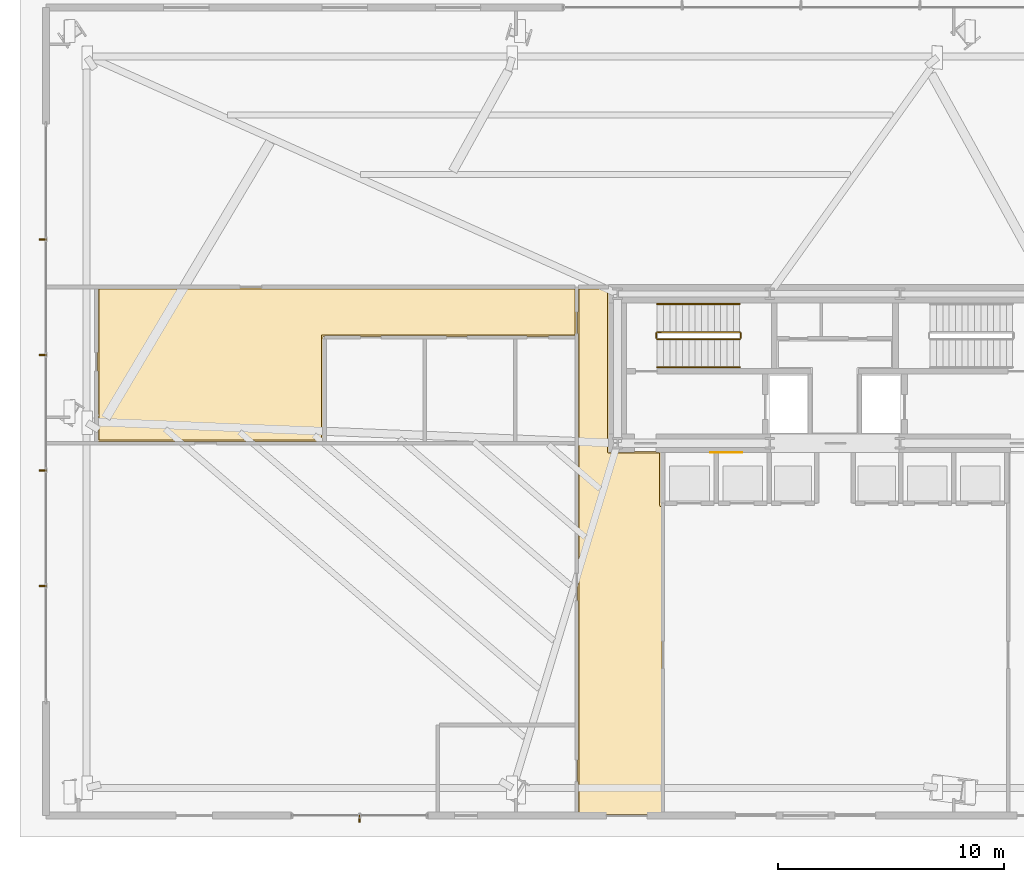
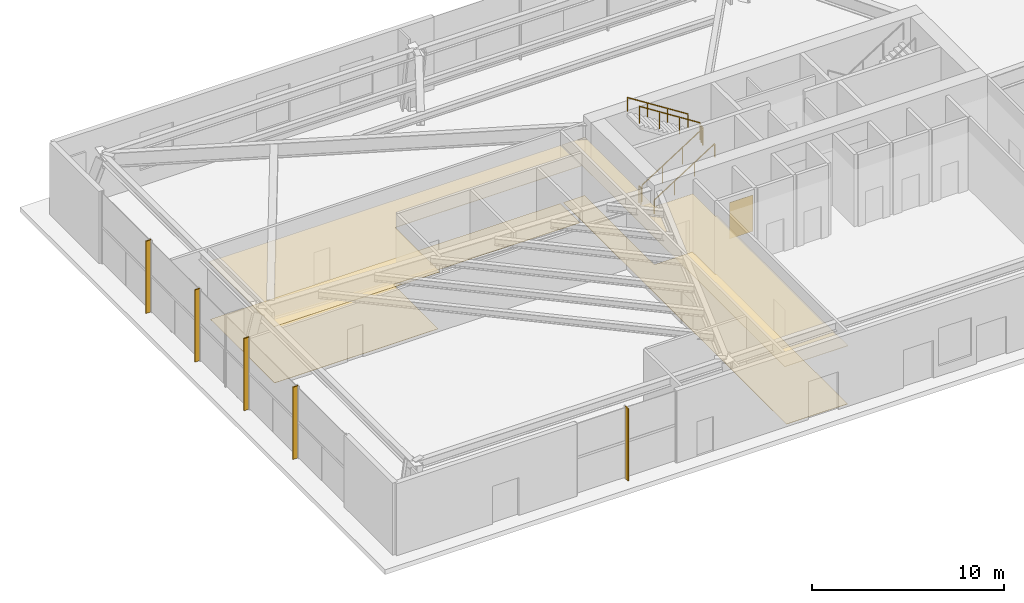
# One storey, part 27 of 31: 6 railings, 5 coverings, 5 shading devices.
"""IFC4 building model written with IfcOpenShell, lengths in metres."""

from ifc_helpers import new_model, si_unit, direction, frame, origin, origin_2d, place, context, subcontext, project, spatial, polyline, rectangle, outline, extrude, source, transform, mapped, material, layer, layer_set, type_object, type_shapes, element, save


model = new_model("IFC4")

# Units and contexts
model_context = context("Model", 3, precision=1e-05, world=origin(), true_north=direction((0.0, 1.0)))
body_context = subcontext(model_context, "Body", "Model", "MODEL_VIEW")
ifc_project = project(units=[si_unit("LENGTHUNIT", "METRE"), si_unit("AREAUNIT", "SQUARE_METRE"), si_unit("VOLUMEUNIT", "CUBIC_METRE"), si_unit("PLANEANGLEUNIT", "RADIAN"), si_unit("MASSUNIT", "GRAM", prefix="KILO")], contexts=[model_context])

# Site, building, storey
site_placement = place(None, origin())
site = spatial("IfcSite", under=ifc_project, at=site_placement, CompositionType="ELEMENT")
building_placement = place(site_placement, origin())
building = spatial("IfcBuilding", under=site, at=building_placement, Name="Astriad Promenade Condominiums", CompositionType="ELEMENT")
storey_placement = place(building_placement, origin())
storey = spatial("IfcBuildingStorey", under=building, at=storey_placement, Name="L00", CompositionType="ELEMENT", Elevation=0.0)

# Coverings
ifc_material_1 = material(Name="Mineral-Fibre Acoustic Ceiling Tile")
ifc_layer_1 = layer(ifc_material_1, 0.02490234375)
ifc_layer_set_1 = layer_set([ifc_layer_1], Name="Mineral-Fibre Acoustic Ceiling Tile")
covering_type_1 = type_object("IfcCoveringType", Name="COV-CEIL-ACOUSTIC-25", PredefinedType="CEILING", material=ifc_layer_set_1)
covering_1_placement = place(storey_placement, frame((0.0, 0.0, 3.635009765625)))
element("IfcCovering", 1, at=covering_1_placement, inside=storey, type_object=covering_type_1, Name="CEIL-L00-EXPW", PredefinedType="CEILING", context=body_context, shape_type="SweptSolid", body=[
    extrude(outline(polyline([(28.429931640625, 1.050048828125), (24.6201171875, 1.050048828125), (24.6201171875, 24.25), (24.6201171875, 24.2529296875), (24.62060546875, 24.255859375), (24.621337890625, 24.2587890625), (24.622314453125, 24.261474609375), (24.62353515625, 24.26416015625), (24.625, 24.2666015625), (24.626708984375, 24.26904296875), (24.62890625, 24.271240234375), (24.631103515625, 24.273193359375), (24.63330078125, 24.27490234375), (24.635986328125, 24.276611328125), (24.638427734375, 24.277587890625), (24.641357421875, 24.27880859375), (24.64404296875, 24.279296875), (24.647216796875, 24.27978515625), (24.64990234375, 24.280029296875), (26.0, 24.280029296875), (26.0029296875, 24.27978515625), (26.005859375, 24.279296875), (26.0087890625, 24.27880859375), (26.011474609375, 24.277587890625), (26.01416015625, 24.276611328125), (26.0166015625, 24.27490234375), (26.01904296875, 24.273193359375), (26.021240234375, 24.271240234375), (26.023193359375, 24.26904296875), (26.02490234375, 24.2666015625), (26.026611328125, 24.26416015625), (26.027587890625, 24.261474609375), (26.02880859375, 24.2587890625), (26.029296875, 24.255859375), (26.02978515625, 24.2529296875), (26.030029296875, 24.25), (26.030029296875, 17.030029296875), (28.300048828125, 17.030029296875), (28.302978515625, 17.02978515625), (28.305908203125, 17.029296875), (28.30859375, 17.02880859375), (28.3115234375, 17.027587890625), (28.314208984375, 17.026611328125), (28.316650390625, 17.02490234375), (28.319091796875, 17.023193359375), (28.3212890625, 17.021240234375), (28.3232421875, 17.01904296875), (28.324951171875, 17.0166015625), (28.326416015625, 17.01416015625), (28.32763671875, 17.011474609375), (28.32861328125, 17.0087890625), (28.329345703125, 17.005859375), (28.329833984375, 17.0029296875), (28.330078125, 17.0), (28.330078125, 14.679931640625), (28.39990234375, 14.679931640625), (28.40283203125, 14.679931640625), (28.406005859375, 14.679443359375), (28.40869140625, 14.6787109375), (28.41162109375, 14.677734375), (28.4140625, 14.676513671875), (28.416748046875, 14.6748046875), (28.4189453125, 14.673095703125), (28.421142578125, 14.671142578125), (28.423095703125, 14.6689453125), (28.4248046875, 14.666748046875), (28.426513671875, 14.6640625), (28.427734375, 14.66162109375), (28.4287109375, 14.65869140625), (28.429443359375, 14.656005859375), (28.429931640625, 14.65283203125), (28.429931640625, 14.64990234375), (28.429931640625, 1.050048828125)])), origin(), (0.0, 0.0, 1.0), 0.02490234375),
])
covering_2_placement = place(storey_placement, frame((0.0, 0.0, 3.635009765625)))
element("IfcCovering", 2, at=covering_2_placement, inside=storey, type_object=covering_type_1, Name="CEIL-L00-CORN", PredefinedType="CEILING", context=body_context, shape_type="SweptSolid", body=[
    extrude(outline(polyline([(3.420166015625, 24.2529296875), (3.420654296875, 24.255859375), (3.42138671875, 24.2587890625), (3.42236328125, 24.261474609375), (3.423583984375, 24.26416015625), (3.425048828125, 24.2666015625), (3.4267578125, 24.26904296875), (3.4287109375, 24.271240234375), (3.430908203125, 24.273193359375), (3.433349609375, 24.27490234375), (3.435791015625, 24.276611328125), (3.4384765625, 24.277587890625), (3.44140625, 24.27880859375), (3.444091796875, 24.279296875), (3.447021484375, 24.27978515625), (3.449951171875, 24.280029296875), (24.550048828125, 24.280029296875), (24.552978515625, 24.27978515625), (24.555908203125, 24.279296875), (24.55859375, 24.27880859375), (24.5615234375, 24.277587890625), (24.564208984375, 24.276611328125), (24.566650390625, 24.27490234375), (24.569091796875, 24.273193359375), (24.5712890625, 24.271240234375), (24.5732421875, 24.26904296875), (24.574951171875, 24.2666015625), (24.576416015625, 24.26416015625), (24.57763671875, 24.261474609375), (24.57861328125, 24.2587890625), (24.579345703125, 24.255859375), (24.579833984375, 24.2529296875), (24.580078125, 24.25), (24.580078125, 22.14990234375), (24.579833984375, 22.147216796875), (24.579345703125, 22.14404296875), (24.57861328125, 22.141357421875), (24.57763671875, 22.138427734375), (24.576416015625, 22.135986328125), (24.574951171875, 22.13330078125), (24.5732421875, 22.131103515625), (24.5712890625, 22.12890625), (24.569091796875, 22.126708984375), (24.566650390625, 22.125), (24.564208984375, 22.12353515625), (24.5615234375, 22.122314453125), (24.55859375, 22.121337890625), (24.555908203125, 22.12060546875), (24.552978515625, 22.1201171875), (24.550048828125, 22.1201171875), (13.3798828125, 22.1201171875), (13.3798828125, 17.5), (13.3798828125, 17.4970703125), (13.37939453125, 17.494140625), (13.378662109375, 17.4912109375), (13.377685546875, 17.488525390625), (13.37646484375, 17.48583984375), (13.375, 17.4833984375), (13.373291015625, 17.48095703125), (13.37109375, 17.478759765625), (13.368896484375, 17.476806640625), (13.36669921875, 17.47509765625), (13.364013671875, 17.473388671875), (13.361572265625, 17.472412109375), (13.358642578125, 17.47119140625), (13.35595703125, 17.470703125), (13.352783203125, 17.47021484375), (13.35009765625, 17.469970703125), (3.449951171875, 17.469970703125), (3.447021484375, 17.47021484375), (3.444091796875, 17.470703125), (3.44140625, 17.47119140625), (3.4384765625, 17.472412109375), (3.435791015625, 17.473388671875), (3.433349609375, 17.47509765625), (3.430908203125, 17.476806640625), (3.4287109375, 17.478759765625), (3.4267578125, 17.48095703125), (3.425048828125, 17.4833984375), (3.423583984375, 17.48583984375), (3.42236328125, 17.488525390625), (3.42138671875, 17.4912109375), (3.420654296875, 17.494140625), (3.420166015625, 17.4970703125), (3.419921875, 17.5), (3.419921875, 18.498779296875), (3.509521484375, 18.64208984375), (3.419921875, 18.69775390625), (3.419921875, 24.25), (3.420166015625, 24.2529296875)])), origin(), (0.0, 0.0, 1.0), 0.02490234375),
])
ifc_material_2 = material(Name="Polished Lakefront Terrazzo Flooring")
ifc_layer_2 = layer(ifc_material_2, 0.02001953125)
ifc_layer_set_2 = layer_set([ifc_layer_2], Name="Polished Lakefront Terrazzo Flooring")
covering_type_2 = type_object("IfcCoveringType", Name="COV-FLOR-TERRAZZO-20", PredefinedType="FLOORING", material=ifc_layer_set_2)
covering_3_placement = place(storey_placement, origin())
element("IfcCovering", 3, at=covering_3_placement, inside=storey, type_object=covering_type_2, Name="FLR-L00-EXPW", PredefinedType="FLOORING", context=body_context, shape_type="SweptSolid", body=[
    extrude(outline(polyline([(28.360107421875, 14.610107421875), (28.360107421875, 0.989990234375), (24.68994140625, 0.989990234375), (24.68994140625, 24.2099609375), (25.9599609375, 24.2099609375), (25.9599609375, 17.0), (25.960205078125, 16.99609375), (25.960693359375, 16.9921875), (25.961669921875, 16.98828125), (25.962890625, 16.984619140625), (25.964599609375, 16.981201171875), (25.966796875, 16.977783203125), (25.968994140625, 16.974609375), (25.9716796875, 16.9716796875), (25.974609375, 16.968994140625), (25.977783203125, 16.966796875), (25.981201171875, 16.964599609375), (25.984619140625, 16.962890625), (25.98828125, 16.961669921875), (25.9921875, 16.960693359375), (25.99609375, 16.960205078125), (26.0, 16.9599609375), (28.260009765625, 16.9599609375), (28.260009765625, 14.64990234375), (28.26025390625, 14.64599609375), (28.2607421875, 14.64208984375), (28.26171875, 14.638427734375), (28.262939453125, 14.634765625), (28.2646484375, 14.631103515625), (28.2666015625, 14.627685546875), (28.26904296875, 14.62451171875), (28.271728515625, 14.62158203125), (28.274658203125, 14.619140625), (28.27783203125, 14.61669921875), (28.281005859375, 14.61474609375), (28.28466796875, 14.613037109375), (28.288330078125, 14.61181640625), (28.292236328125, 14.61083984375), (28.296142578125, 14.610107421875), (28.300048828125, 14.610107421875), (28.360107421875, 14.610107421875)])), origin(), (0.0, 0.0, 1.0), 0.02001953125),
])
covering_4_placement = place(storey_placement, origin())
element("IfcCovering", 4, at=covering_4_placement, inside=storey, type_object=covering_type_2, Name="FLR-L00-CORN", PredefinedType="FLOORING", context=body_context, shape_type="SweptSolid", body=[
    extrude(outline(polyline([(3.489990234375, 17.5400390625), (3.489990234375, 24.2099609375), (24.510009765625, 24.2099609375), (24.510009765625, 22.18994140625), (13.35009765625, 22.18994140625), (13.34619140625, 22.189697265625), (13.34228515625, 22.189208984375), (13.33837890625, 22.188232421875), (13.334716796875, 22.18701171875), (13.3310546875, 22.185302734375), (13.327880859375, 22.183349609375), (13.32470703125, 22.180908203125), (13.32177734375, 22.17822265625), (13.319091796875, 22.17529296875), (13.316650390625, 22.172119140625), (13.314697265625, 22.1689453125), (13.31298828125, 22.165283203125), (13.311767578125, 22.16162109375), (13.310791015625, 22.15771484375), (13.310302734375, 22.15380859375), (13.31005859375, 22.14990234375), (13.31005859375, 17.5400390625), (3.489990234375, 17.5400390625)])), origin(), (0.0, 0.0, 1.0), 0.02001953125),
])

# Shading devices
ifc_material_3 = material(Name="Anodised aluminium 6063-T6 Black Fin", Category="aluminium")
shading_device_type = type_object("IfcShadingDeviceType", Name="FIN-BLACK-320", PredefinedType="USERDEFINED", material=ifc_material_3)
shared_shape_1 = source(origin(), body_context, "Body", "SweptSolid", [
    extrude(rectangle(XDim=0.06494140625, YDim=0.320068359375, at=origin_2d()), origin(), (0.0, 0.0, 1.0), 4.580078125),
])
type_shapes(shading_device_type, [shared_shape_1])
for number, where, z_axis, x_axis, name in (
    (5, (1.010009765625, 11.10009765625, 0.0), (0.0, 0.0, 1.0), (0.0, 1.0, 0.0), "CW-L00-W-FIN-01"),
    (6, (1.010009765625, 16.199951171875, 0.0), (0.0, 0.0, 1.0), (0.0, 1.0, 0.0), "CW-L00-W-FIN-02"),
    (7, (1.010009765625, 21.300048828125, 0.0), (0.0, 0.0, 1.0), (0.0, 1.0, 0.0), "CW-L00-W-FIN-03"),
    (8, (1.010009765625, 26.39990234375, 0.0), (0.0, 0.0, 1.0), (0.0, 1.0, 0.0), "CW-L00-W-FIN-04"),
    (9, (15.0, 0.81005859375, 0.0), (0.0, 0.0, 1.0), (-1.0, 0.0, 0.0), "CW-L00-SW-FIN-01"),
):
    element("IfcShadingDevice", number, at=place(storey_placement, frame(where, z_axis=z_axis, x_axis=x_axis)), inside=storey, type_object=shading_device_type, Name=name, ObjectType="FIN", PredefinedType="USERDEFINED", context=body_context, shape_type="MappedRepresentation", body=[
        mapped(shared_shape_1, transform((0.0, 0.0, 0.0), scale=1.0)),
    ])

# Railings
ifc_material_4 = material(Name="Painted Galvanised Steel Guardrail", Category="steel")
railing_type_1 = type_object("IfcRailingType", Name="GRD-STAIR-1100", PredefinedType="GUARDRAIL", material=ifc_material_4)
shared_shape_2 = source(origin(), body_context, "Body", "SweptSolid", [
    extrude(rectangle(XDim=0.048095703125, YDim=0.048095703125, at=origin_2d()), frame((0.0, 0.0, 1.076171875), z_axis=(0.0, 1.0, 0.0), x_axis=(-1.0, 0.0, 0.0)), (0.0, 0.0, 1.0), 0.199951171875),
    extrude(rectangle(XDim=0.0419921875, YDim=0.0419921875, at=origin_2d()), origin(), (0.0, 0.0, 1.0), 1.052001953125),
    extrude(rectangle(XDim=0.0419921875, YDim=0.0419921875, at=origin_2d()), frame((0.0, 0.199951171875, 0.0)), (0.0, 0.0, 1.0), 1.052001953125),
])
for number, where, name in (
    (10, (31.840087890625, 22.050048828125, 2.5), "L00 ST-1 stair guard 2"),
    (11, (28.10009765625, 22.050048828125, 0.0), "L00 ST-1 stair guard 4"),
):
    element("IfcRailing", number, at=place(storey_placement, frame(where)), inside=storey, type_object=railing_type_1, Name=name, PredefinedType="GUARDRAIL", context=body_context, shape_type="MappedRepresentation", body=[
        mapped(shared_shape_2, transform((0.0, 0.0, 0.0), scale=1.0)),
    ])
shared_shape_3 = source(origin(), body_context, "Body", "SweptSolid", [
    extrude(rectangle(XDim=0.048095703125, YDim=0.048095703125, at=origin_2d()), frame((0.0, 0.0, 1.076171875), z_axis=(0.843127859045, 0.0, 0.537713132908), x_axis=(0.0, 1.0, 0.0)), (0.0, 0.0, 1.0), 4.3173828125),
    extrude(rectangle(XDim=0.0419921875, YDim=0.0419921875, at=origin_2d()), origin(), (0.0, 0.0, 1.0), 1.052001953125),
    extrude(rectangle(XDim=0.0419921875, YDim=0.0419921875, at=origin_2d()), frame((1.21337890625, 0.0, 0.77392578125)), (0.0, 0.0, 1.0), 1.052001953125),
    extrude(rectangle(XDim=0.0419921875, YDim=0.0419921875, at=origin_2d()), frame((2.4267578125, 0.0, 1.547607421875)), (0.0, 0.0, 1.0), 1.052001953125),
    extrude(rectangle(XDim=0.0419921875, YDim=0.0419921875, at=origin_2d()), frame((3.64013671875, 0.0, 2.321533203125)), (0.0, 0.0, 1.0), 1.052001953125),
])
railing_1_placement = place(storey_placement, frame((28.14990234375, 22.0, 0.178466796875)))
element("IfcRailing", 12, at=railing_1_placement, inside=storey, type_object=railing_type_1, Name="L00 ST-1 stair guard 1", PredefinedType="GUARDRAIL", context=body_context, shape_type="MappedRepresentation", body=[
    mapped(shared_shape_3, transform((0.0, 0.0, 0.0), scale=1.0)),
])
shared_shape_4 = source(origin(), body_context, "Body", "SweptSolid", [
    extrude(rectangle(XDim=0.048095703125, YDim=0.048095703125, at=origin_2d()), frame((0.0, 0.0, 1.076171875), z_axis=(-0.843127859045, 0.0, 0.537713132908), x_axis=(0.0, -1.0, 0.0)), (0.0, 0.0, 1.0), 4.3173828125),
    extrude(rectangle(XDim=0.0419921875, YDim=0.0419921875, at=origin_2d()), origin(), (0.0, 0.0, 1.0), 1.052001953125),
    extrude(rectangle(XDim=0.0419921875, YDim=0.0419921875, at=origin_2d()), frame((-1.21337890625, 0.0, 0.77392578125)), (0.0, 0.0, 1.0), 1.052001953125),
    extrude(rectangle(XDim=0.0419921875, YDim=0.0419921875, at=origin_2d()), frame((-2.4267578125, 0.0, 1.547607421875)), (0.0, 0.0, 1.0), 1.052001953125),
    extrude(rectangle(XDim=0.0419921875, YDim=0.0419921875, at=origin_2d()), frame((-3.64013671875, 0.0, 2.321533203125)), (0.0, 0.0, 1.0), 1.052001953125),
])
type_shapes(railing_type_1, [shared_shape_2, shared_shape_3, shared_shape_4])
railing_2_placement = place(storey_placement, frame((31.7900390625, 22.300048828125, 2.678466796875)))
element("IfcRailing", 13, at=railing_2_placement, inside=storey, type_object=railing_type_1, Name="L00 ST-1 stair guard 3", PredefinedType="GUARDRAIL", context=body_context, shape_type="MappedRepresentation", body=[
    mapped(shared_shape_4, transform((0.0, 0.0, 0.0), scale=1.0)),
])
ifc_material_5 = material(Name="Brushed Stainless Steel Handrail", Category="steel")
railing_type_2 = type_object("IfcRailingType", Name="HRL-STAIR-920", PredefinedType="HANDRAIL", material=ifc_material_5)
shared_shape_5 = source(origin(), body_context, "Body", "SweptSolid", [
    extrude(rectangle(XDim=0.048095703125, YDim=0.048095703125, at=origin_2d()), frame((0.0, 0.0, 0.8759765625), z_axis=(0.843127859045, 0.0, 0.537713132908), x_axis=(0.0, 1.0, 0.0)), (0.0, 0.0, 1.0), 4.3173828125),
    extrude(rectangle(XDim=0.0419921875, YDim=0.0419921875, at=origin_2d()), origin(), (0.0, 0.0, 1.0), 0.851806640625),
    extrude(rectangle(XDim=0.0419921875, YDim=0.0419921875, at=origin_2d()), frame((1.21337890625, 0.0, 0.77392578125)), (0.0, 0.0, 1.0), 0.851806640625),
    extrude(rectangle(XDim=0.0419921875, YDim=0.0419921875, at=origin_2d()), frame((2.4267578125, 0.0, 1.547607421875)), (0.0, 0.0, 1.0), 0.851806640625),
    extrude(rectangle(XDim=0.0419921875, YDim=0.0419921875, at=origin_2d()), frame((3.64013671875, 0.0, 2.321533203125)), (0.0, 0.0, 1.0), 0.851806640625),
])
railing_3_placement = place(storey_placement, frame((28.14990234375, 20.75, 0.178466796875)))
element("IfcRailing", 14, at=railing_3_placement, inside=storey, type_object=railing_type_2, Name="L00 ST-1 stair handrail 1", PredefinedType="HANDRAIL", context=body_context, shape_type="MappedRepresentation", body=[
    mapped(shared_shape_5, transform((0.0, 0.0, 0.0), scale=1.0)),
])
shared_shape_6 = source(origin(), body_context, "Body", "SweptSolid", [
    extrude(rectangle(XDim=0.048095703125, YDim=0.048095703125, at=origin_2d()), frame((0.0, 0.0, 0.8759765625), z_axis=(-0.843127859045, 0.0, 0.537713132908), x_axis=(0.0, -1.0, 0.0)), (0.0, 0.0, 1.0), 4.3173828125),
    extrude(rectangle(XDim=0.0419921875, YDim=0.0419921875, at=origin_2d()), origin(), (0.0, 0.0, 1.0), 0.851806640625),
    extrude(rectangle(XDim=0.0419921875, YDim=0.0419921875, at=origin_2d()), frame((-1.21337890625, 0.0, 0.77392578125)), (0.0, 0.0, 1.0), 0.851806640625),
    extrude(rectangle(XDim=0.0419921875, YDim=0.0419921875, at=origin_2d()), frame((-2.4267578125, 0.0, 1.547607421875)), (0.0, 0.0, 1.0), 0.851806640625),
    extrude(rectangle(XDim=0.0419921875, YDim=0.0419921875, at=origin_2d()), frame((-3.64013671875, 0.0, 2.321533203125)), (0.0, 0.0, 1.0), 0.851806640625),
])
type_shapes(railing_type_2, [shared_shape_5, shared_shape_6])
railing_4_placement = place(storey_placement, frame((31.7900390625, 23.550048828125, 2.678466796875)))
element("IfcRailing", 15, at=railing_4_placement, inside=storey, type_object=railing_type_2, Name="L00 ST-1 stair handrail 2", PredefinedType="HANDRAIL", context=body_context, shape_type="MappedRepresentation", body=[
    mapped(shared_shape_6, transform((0.0, 0.0, 0.0), scale=1.0)),
])

# Covering
ifc_material_6 = material(Name="Fire-Retardant Acoustic Oak Wall Cladding")
ifc_layer_3 = layer(ifc_material_6, 0.02490234375)
ifc_layer_set_3 = layer_set([ifc_layer_3], Name="Fire-Retardant Acoustic Oak Wall Cladding")
covering_type_3 = type_object("IfcCoveringType", Name="COV-CLAD-TIMBER-25", PredefinedType="CLADDING", material=ifc_layer_set_3)
shared_shape_7 = source(origin(), body_context, "Body", "SweptSolid", [
    extrude(rectangle(XDim=1.39990234375, YDim=0.02490234375, at=origin_2d()), origin(), (0.0, 0.0, 1.0), 2.300048828125),
])
type_shapes(covering_type_3, [shared_shape_7])
covering_5_placement = place(storey_placement, frame((31.199951171875, 16.991455078125, 0.0498046875), z_axis=(0.0, 0.0, 1.0), x_axis=(1.0, 0.0, 0.0)))
element("IfcCovering", 16, at=covering_5_placement, inside=storey, type_object=covering_type_3, Name="CLAD-LOB-L00", PredefinedType="CLADDING", context=body_context, shape_type="MappedRepresentation", body=[
    mapped(shared_shape_7, transform((0.0, 0.0, 0.0), scale=1.0)),
])

save(model, "model.ifc")
